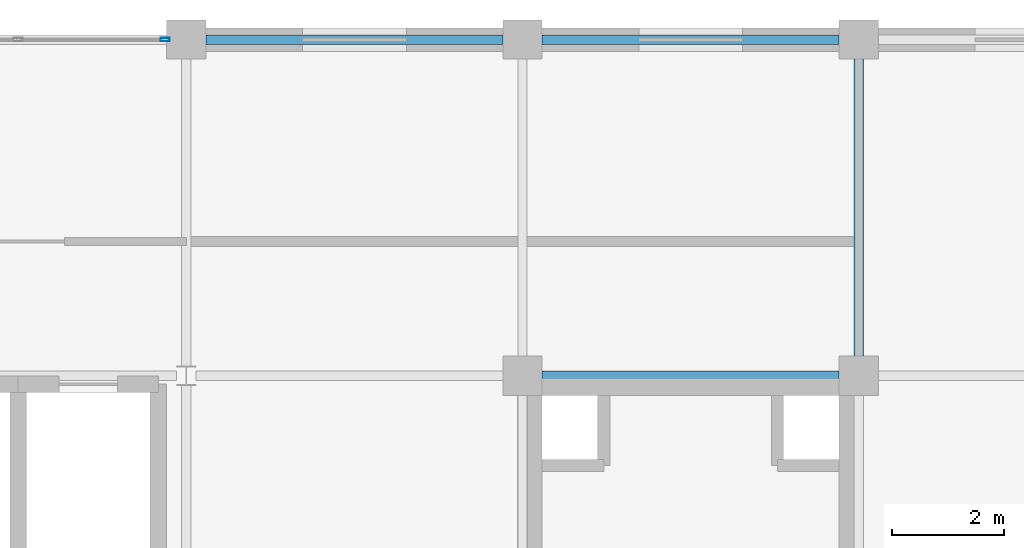
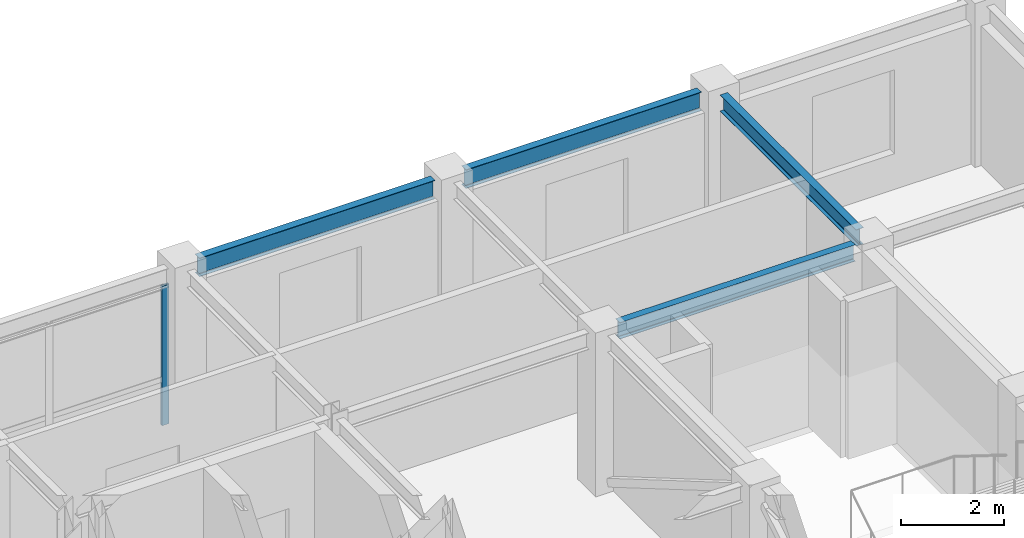
# One storey, part 10 of 15: 4 beams, 1 member, 1 element without a shape of its own.
"""IFC4 building model written with IfcOpenShell, lengths in metres."""

from ifc_helpers import new_model, si_unit, direction, frame, origin, origin_2d, place, context, subcontext, project, spatial, hollow_rectangle, i_section, extrude, material, layer, layer_set, material_profile, profile_set, type_object, element, aggregate, save


model = new_model("IFC4")

# Units and contexts
model_context = context("Model", 3, precision=1e-05, world=origin(), true_north=direction((0.0, 1.0)))
body_context = subcontext(model_context, "Body", "Model", "MODEL_VIEW")
ifc_project = project(units=[si_unit("LENGTHUNIT", "METRE"), si_unit("AREAUNIT", "SQUARE_METRE"), si_unit("VOLUMEUNIT", "CUBIC_METRE"), si_unit("PLANEANGLEUNIT", "RADIAN"), si_unit("MASSUNIT", "GRAM", prefix="KILO")], contexts=[model_context])

# Site, building, storey
site_placement = place(None, origin())
site = spatial("IfcSite", under=ifc_project, at=site_placement, CompositionType="ELEMENT")
building_placement = place(site_placement, origin())
building = spatial("IfcBuilding", under=site, at=building_placement, Name="Zlatovratsky Civic Hall", CompositionType="ELEMENT")
storey_placement = place(building_placement, frame((0.0, 0.0, 36.60009765625)))
storey = spatial("IfcBuildingStorey", under=building, at=storey_placement, Name="L09", CompositionType="ELEMENT", Elevation=36.60009765625)

# Beams
ifc_material_1 = material(Name="Steel S355", Category="steel")
ifc_material_profile_1 = material_profile(ifc_material_1, i_section(OverallWidth=0.169921875, OverallDepth=0.446044921875, WebThickness=0.007568359375, FlangeThickness=0.010986328125, FilletRadius=0.01611328125, at=origin_2d()), Name="45B1")
ifc_profile_set_1 = profile_set([ifc_material_profile_1], Name="Steel S355")
beam_type_1 = type_object("IfcBeamType", Name="Beam_Spandrel_45B1", PredefinedType="SPANDREL", material=ifc_profile_set_1)
for number, where, z_axis, x_axis, name in (
    (1, (90.35009765625, 102.0, 3.516845703125), (1.0, 0.0, 0.0), (0.0, 1.0, 0.0), "BM-4560"),
    (2, (96.35009765625, 102.0, 3.516845703125), (1.0, 0.0, 0.0), (0.0, 1.0, 0.0), "BM-4561"),
):
    element("IfcBeam", number, at=place(storey_placement, frame(where, z_axis=z_axis, x_axis=x_axis)), inside=storey, type_object=beam_type_1, Name=name, PredefinedType="SPANDREL", context=body_context, shape_type="SweptSolid", body=[
        extrude(i_section(OverallWidth=0.169921875, OverallDepth=0.446044921875, WebThickness=0.007568359375, FlangeThickness=0.010986328125, FilletRadius=0.01611328125, at=origin_2d()), origin(), (0.0, 0.0, 1.0), 5.2998046875),
    ])
ifc_material_profile_2 = material_profile(ifc_material_1, i_section(OverallWidth=0.1650390625, OverallDepth=0.39208984375, WebThickness=0.006591796875, FlangeThickness=0.009521484375, FilletRadius=0.014892578125, at=origin_2d()), Name="40B1")
ifc_profile_set_2 = profile_set([ifc_material_profile_2], Name="Steel S355")
beam_type_2 = type_object("IfcBeamType", Name="Beam_Tie_40B1", PredefinedType="BEAM", material=ifc_profile_set_2)
for number, where, z_axis, x_axis, name in (
    (3, (96.35009765625, 96.0, 3.5439453125), (1.0, 0.0, 0.0), (0.0, 1.0, 0.0), "BM-4553"),
    (4, (102.0, 96.35009765625, 3.5439453125), (0.0, 1.0, 0.0), (-1.0, 0.0, 0.0), "BM-4602"),
):
    element("IfcBeam", number, at=place(storey_placement, frame(where, z_axis=z_axis, x_axis=x_axis)), inside=storey, type_object=beam_type_2, Name=name, PredefinedType="BEAM", context=body_context, shape_type="SweptSolid", body=[
        extrude(i_section(OverallWidth=0.1650390625, OverallDepth=0.39208984375, WebThickness=0.006591796875, FlangeThickness=0.009521484375, FilletRadius=0.014892578125, at=origin_2d()), origin(), (0.0, 0.0, 1.0), 5.2998046875),
    ])

# Curtain wall, member
ifc_material_2 = material(Name="Anodised bronze aluminium", Category="aluminium")
ifc_layer = layer(ifc_material_2, 0.159912109375)
ifc_layer_set = layer_set([ifc_layer], Name="Anodised bronze aluminium")
curtain_wall_type = type_object("IfcCurtainWallType", Name="CurtainWall_Bronze_5300x3320_21", PredefinedType="NOTDEFINED", material=ifc_layer_set)
curtain_wall_placement = place(storey_placement, origin())
curtain_wall = element("IfcCurtainWall", 5, at=curtain_wall_placement, inside=storey, type_object=curtain_wall_type, Name="CW-148", PredefinedType="NOTDEFINED")
ifc_material_profile_3 = material_profile(ifc_material_2, hollow_rectangle(XDim=0.06005859375, YDim=0.159912109375, WallThickness=0.00390625, at=origin_2d()), Name="ALU 60x160x4")
ifc_profile_set_3 = profile_set([ifc_material_profile_3], Name="Anodised bronze aluminium")
member_type = type_object("IfcMemberType", Name="CW_Mullion_60x160", PredefinedType="MULLION", material=ifc_profile_set_3)
member_placement = place(storey_placement, frame((89.6201171875, 102.0, 0.0), z_axis=(0.0, 0.0, 1.0), x_axis=(0.0, 1.0, 0.0)))
member = element("IfcMember", 6, at=member_placement, type_object=member_type, Name="CW-21 mullion 3", PredefinedType="MULLION", context=body_context, shape_type="SweptSolid", body=[
    extrude(hollow_rectangle(XDim=0.06005859375, YDim=0.159912109375, WallThickness=0.00390625, at=origin_2d()), origin(), (0.0, 0.0, 1.0), 3.31982421875),
])
aggregate(curtain_wall, [member])

save(model, "model.ifc")
